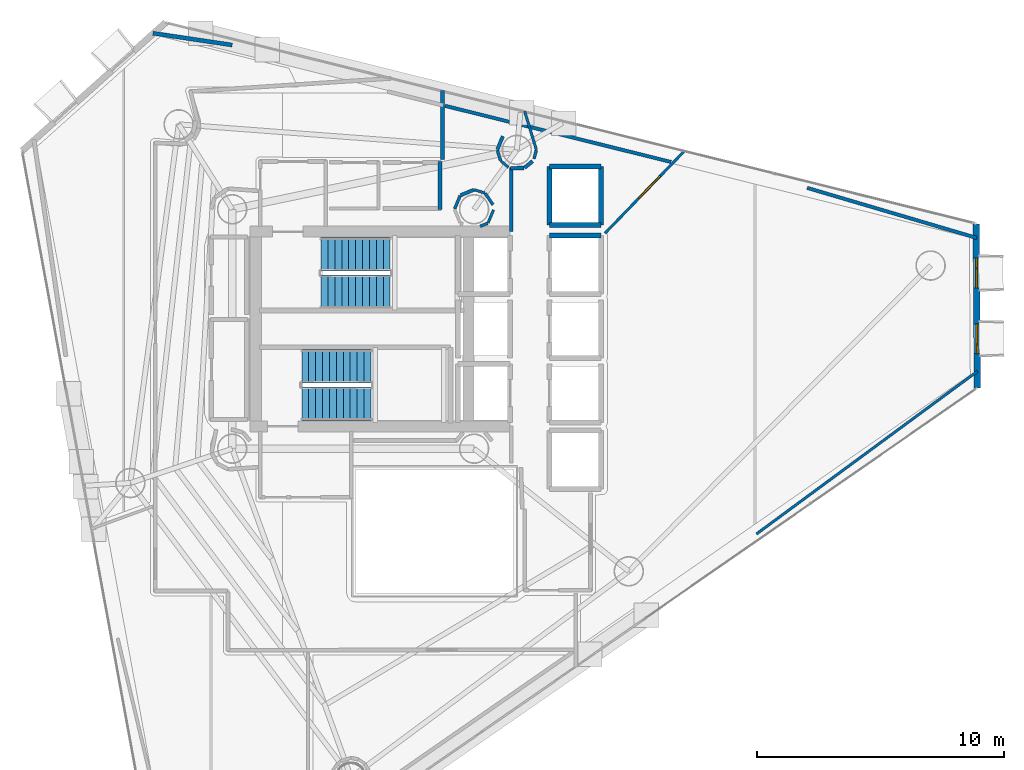
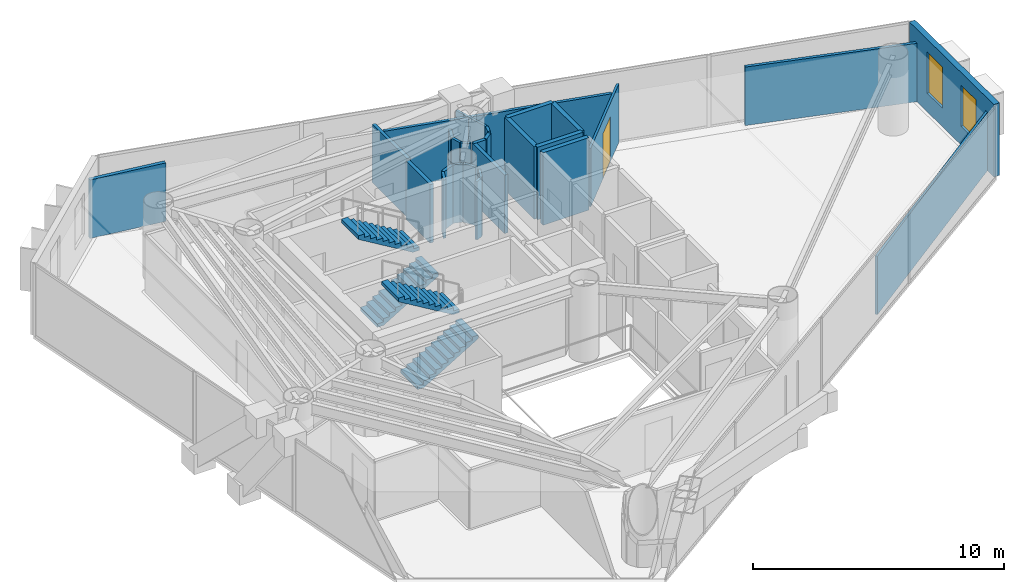
# One storey, part 21 of 23: 27 walls, 4 stair flights, 2 windows, 1 door, 3 openings, 2 elements without a shape of their own.
"""IFC4 building model written with IfcOpenShell, lengths in metres."""

from ifc_helpers import new_model, si_unit, direction, frame, frame_2d, origin, place, context, subcontext, project, spatial, polyline, rectangle, outline, extrude, material, layer, layer_set, type_object, element, fill, aggregate, save


model = new_model("IFC4")

# Units and contexts
model_context = context("Model", 3, precision=1e-05, world=origin(), true_north=direction((0.0, 1.0)))
body_context = subcontext(model_context, "Body", "Model", "MODEL_VIEW")
ifc_project = project(units=[si_unit("LENGTHUNIT", "METRE"), si_unit("AREAUNIT", "SQUARE_METRE"), si_unit("VOLUMEUNIT", "CUBIC_METRE"), si_unit("PLANEANGLEUNIT", "RADIAN"), si_unit("MASSUNIT", "GRAM", prefix="KILO")], contexts=[model_context])

# Site, building, storey
site_placement = place(None, origin())
site = spatial("IfcSite", under=ifc_project, at=site_placement, CompositionType="ELEMENT")
building_placement = place(site_placement, origin())
building = spatial("IfcBuilding", under=site, at=building_placement, Name="Qianvela Tower", CompositionType="ELEMENT")
storey_placement = place(building_placement, frame((0.0, 0.0, 192.89990234375)))
storey = spatial("IfcBuildingStorey", under=building, at=storey_placement, Name="L49", CompositionType="ELEMENT", Elevation=192.89990234375)

# Wall, openings, windows
ifc_material_1 = material(Name="Terracotta Cladding on Concrete C40", Category="masonry")
ifc_layer_1 = layer(ifc_material_1, 0.260009765625)
ifc_layer_set_1 = layer_set([ifc_layer_1], Name="Terracotta Cladding on Concrete C40")
wall_type_1 = type_object("IfcWallType", Name="TERRACOTTA-WALL-260", PredefinedType="SOLIDWALL", material=ifc_layer_set_1)
wall_1_placement = place(storey_placement, frame((58.78759765625, 26.310546875, 0.0), z_axis=(0.0, 0.0, 1.0), x_axis=(-0.006569629932, 0.999978419748, 0.0)))
wall_1 = element("IfcWall", 1, at=wall_1_placement, inside=storey, type_object=wall_type_1, Name="L49 Terracotta Chamfer Facet Wall 1", PredefinedType="SOLIDWALL", context=body_context, shape_type="SweptSolid", body=[
    extrude(rectangle(XDim=6.652099609375, YDim=0.260009765625, at=frame_2d((3.326171875, 0.0))), origin(), (0.0, 0.0, 1.0), 3.52001953125),
])
opening_1_placement = place(wall_1_placement, frame((1.3955078125, 0.0, 0.89990234375)))
opening_1 = element("IfcOpeningElement", 2, at=opening_1_placement, cuts=wall_1, Name="Opening W-03", PredefinedType="OPENING", context=body_context, shape_type="SweptSolid", body=[
    extrude(rectangle(XDim=1.199951171875, YDim=2.0, at=frame_2d((0.60009765625, 1.0))), frame((0.0, 0.139892578125, 0.0), z_axis=(0.0, -1.0, 0.0), x_axis=(1.0, 0.0, 0.0)), (0.0, 0.0, 1.0), 0.280029296875),
])
opening_2_placement = place(wall_1_placement, frame((4.056396484375, 0.0, 0.89990234375)))
opening_2 = element("IfcOpeningElement", 3, at=opening_2_placement, cuts=wall_1, Name="Opening W-03", PredefinedType="OPENING", context=body_context, shape_type="SweptSolid", body=[
    extrude(rectangle(XDim=1.199951171875, YDim=2.0, at=frame_2d((0.60009765625, 1.0))), frame((0.0, 0.139892578125, 0.0), z_axis=(0.0, -1.0, 0.0), x_axis=(1.0, 0.0, 0.0)), (0.0, 0.0, 1.0), 0.280029296875),
])
ifc_material_2 = material(Name="Thermally Broken Aluminium and Low-E Glass", Category="aluminium")
window_type = type_object("IfcWindowType", Name="WIN-TC-1200x2000", PartitioningType="SINGLE_PANEL", PredefinedType="WINDOW", material=ifc_material_2)
window_1_placement = place(opening_1_placement, origin())
window_1 = element("IfcWindow", 4, at=window_1_placement, inside=storey, type_object=window_type, Name="L49 Chamfer Facet Window 1.1", OverallHeight=2.0, OverallWidth=1.199951171875, PartitioningType="SINGLE_PANEL", PredefinedType="WINDOW", context=body_context, shape_type="SweptSolid", body=[
    extrude(rectangle(XDim=1.199951171875, YDim=2.0, at=frame_2d((0.60009765625, 1.0))), frame((0.0, 0.030029296875, 0.0), z_axis=(0.0, -1.0, 0.0), x_axis=(1.0, 0.0, 0.0)), (0.0, 0.0, 1.0), 0.06005859375),
])
fill(opening_1, window_1)
window_2_placement = place(opening_2_placement, origin())
window_2 = element("IfcWindow", 5, at=window_2_placement, inside=storey, type_object=window_type, Name="L49 Chamfer Facet Window 1.2", OverallHeight=2.0, OverallWidth=1.199951171875, PartitioningType="SINGLE_PANEL", PredefinedType="WINDOW", context=body_context, shape_type="SweptSolid", body=[
    extrude(rectangle(XDim=1.199951171875, YDim=2.0, at=frame_2d((0.60009765625, 1.0))), frame((0.0, 0.030029296875, 0.0), z_axis=(0.0, -1.0, 0.0), x_axis=(1.0, 0.0, 0.0)), (0.0, 0.0, 1.0), 0.06005859375),
])
fill(opening_2, window_2)

# Walls
ifc_material_3 = material(Name="Fire-Rated Acoustic Gypsum Board")
ifc_layer_2 = layer(ifc_material_3, 0.14990234375)
ifc_layer_set_2 = layer_set([ifc_layer_2], Name="Fire-Rated Acoustic Gypsum Board")
wall_type_2 = type_object("IfcWallType", Name="WT-CORR-150", PredefinedType="PARTITIONING", material=ifc_layer_set_2)
wall_2_placement = place(storey_placement, frame((39.910888671875, 32.639892578125, 0.0), z_axis=(0.0, 0.0, 1.0), x_axis=(0.0, 1.0, 0.0)))
element("IfcWall", 6, at=wall_2_placement, inside=storey, type_object=wall_type_2, Name="L49 Partition 12", PredefinedType="PARTITIONING", context=body_context, shape_type="SweptSolid", body=[
    extrude(rectangle(XDim=2.60400390625, YDim=0.14990234375, at=frame_2d((1.302001953125, 0.0))), origin(), (0.0, 0.0, 1.0), 2.840087890625),
])
wall_3_placement = place(storey_placement, frame((39.880615234375, 35.212890625, 0.0), z_axis=(0.0, 0.0, 1.0), x_axis=(0.999756500784, 0.02206669754, 0.0)))
element("IfcWall", 7, at=wall_3_placement, inside=storey, type_object=wall_type_2, Name="L49 Partition 13", PredefinedType="PARTITIONING", context=body_context, shape_type="SweptSolid", body=[
    extrude(rectangle(XDim=0.542236328125, YDim=0.14990234375, at=frame_2d((0.27099609375, 0.0))), origin(), (0.0, 0.0, 1.0), 2.840087890625),
])
wall_4_placement = place(storey_placement, frame((40.44140625, 35.231689453125, 0.0), z_axis=(0.0, 0.0, 1.0), x_axis=(0.778714564707, 0.627378376033, 0.0)))
element("IfcWall", 8, at=wall_4_placement, inside=storey, type_object=wall_type_2, Name="L49 Partition 14", PredefinedType="PARTITIONING", context=body_context, shape_type="SweptSolid", body=[
    extrude(rectangle(XDim=0.421142578125, YDim=0.14990234375, at=frame_2d((0.21044921875, 0.0))), origin(), (0.0, 0.0, 1.0), 2.840087890625),
])
wall_5_placement = place(storey_placement, frame((37.118896484375, 38.355224609375, 0.0), z_axis=(0.0, 0.0, 1.0), x_axis=(0.0, -1.0, 0.0)))
element("IfcWall", 9, at=wall_5_placement, inside=storey, type_object=wall_type_2, Name="L49 Partition 57 seg 1", PredefinedType="PARTITIONING", context=body_context, shape_type="SweptSolid", body=[
    extrude(rectangle(XDim=2.795166015625, YDim=0.14990234375, at=frame_2d((1.3974609375, 0.0))), origin(), (0.0, 0.0, 1.0), 2.840087890625),
])

# Wall, opening, door
ifc_material_4 = material(Name="Lightweight Gypsum Room Partition")
ifc_layer_3 = layer(ifc_material_4, 0.10498046875)
ifc_layer_set_3 = layer_set([ifc_layer_3], Name="Lightweight Gypsum Room Partition")
wall_type_3 = type_object("IfcWallType", Name="WT-PART-105", PredefinedType="PARTITIONING", material=ifc_layer_set_3)
wall_6_placement = place(storey_placement, frame((43.7021484375, 32.576416015625, 0.0), z_axis=(0.0, 0.0, 1.0), x_axis=(0.694641433789, 0.719356155506, 0.0)))
wall_6 = element("IfcWall", 10, at=wall_6_placement, inside=storey, type_object=wall_type_3, Name="L49 Partition 105", PredefinedType="PARTITIONING", context=body_context, shape_type="SweptSolid", body=[
    extrude(rectangle(XDim=4.642822265625, YDim=0.10498046875, at=frame_2d((2.3212890625, 0.0))), origin(), (0.0, 0.0, 1.0), 2.840087890625),
])
opening_3_placement = place(wall_6_placement, frame((1.9755859375, 0.0, 0.0)))
opening_3 = element("IfcOpeningElement", 11, at=opening_3_placement, cuts=wall_6, Name="Opening D-LG1", PredefinedType="OPENING", context=body_context, shape_type="SweptSolid", body=[
    extrude(rectangle(XDim=1.25, YDim=2.199951171875, at=frame_2d((0.625, 1.10009765625))), frame((0.0, 0.0625, 0.0), z_axis=(0.0, -1.0, 0.0), x_axis=(1.0, 0.0, 0.0)), (0.0, 0.0, 1.0), 0.125),
])
ifc_material_5 = material(Name="Anodised Aluminium Acoustic Glass Door", Category="aluminium")
door_type = type_object("IfcDoorType", Name="DT-LOUNGE-1250", OperationType="NOTDEFINED", PredefinedType="DOOR", material=ifc_material_5)
door_placement = place(opening_3_placement, origin())
door = element("IfcDoor", 12, at=door_placement, inside=storey, type_object=door_type, Name="L49 Door Social Sitting Lounge L49-04 to Panoramic Study Lounge L49-03", OperationType="SINGLE_SWING_RIGHT", OverallHeight=2.199951171875, OverallWidth=1.25, PredefinedType="DOOR", context=body_context, shape_type="SweptSolid", body=[
    extrude(rectangle(XDim=1.25, YDim=2.199951171875, at=frame_2d((0.625, 1.10009765625))), frame((0.0, 0.02490234375, 0.0), z_axis=(0.0, -1.0, 0.0), x_axis=(1.0, 0.0, 0.0)), (0.0, 0.0, 1.0), 0.050048828125),
])
fill(opening_3, door)

# Walls
wall_7_placement = place(storey_placement, frame((58.799560546875, 26.989501953125, 0.0), z_axis=(0.0, 0.0, 1.0), x_axis=(-0.805363512082, -0.592781252578, 0.0)))
element("IfcWall", 13, at=wall_7_placement, inside=storey, type_object=wall_type_3, Name="L49 Partition 108 seg 1", PredefinedType="PARTITIONING", context=body_context, shape_type="SweptSolid", body=[
    extrude(rectangle(XDim=11.125, YDim=0.10498046875, at=frame_2d((5.5625, 0.0))), origin(), (0.0, 0.0, 1.0), 2.840087890625),
])
wall_8_placement = place(storey_placement, frame((40.920654296875, 35.967041015625, 0.0), z_axis=(0.0, 0.0, 1.0), x_axis=(-0.290302714428, 0.95693486403, 0.0)))
element("IfcWall", 14, at=wall_8_placement, inside=storey, type_object=wall_type_3, Name="L49 Partition 114", PredefinedType="PARTITIONING", context=body_context, shape_type="SweptSolid", body=[
    extrude(rectangle(XDim=1.62890625, YDim=0.10498046875, at=frame_2d((0.814453125, 0.0))), origin(), (0.0, 0.0, 1.0), 2.840087890625),
])
wall_9_placement = place(storey_placement, frame((39.47900390625, 35.51220703125, 0.0), z_axis=(0.0, 0.0, 1.0), x_axis=(0.763588477055, -0.645703211784, 0.0)))
element("IfcWall", 15, at=wall_9_placement, inside=storey, type_object=wall_type_3, Name="L49 Partition 120", PredefinedType="PARTITIONING", context=body_context, shape_type="SweptSolid", body=[
    extrude(rectangle(XDim=0.412109375, YDim=0.10498046875, at=frame_2d((0.2060546875, 0.0))), origin(), (0.0, 0.0, 1.0), 2.840087890625),
])
wall_10_placement = place(storey_placement, frame((38.831298828125, 34.211669921875, 0.0), z_axis=(0.0, 0.0, 1.0), x_axis=(-0.957061618741, 0.289884559665, 0.0)))
element("IfcWall", 16, at=wall_10_placement, inside=storey, type_object=wall_type_3, Name="L49 Partition 123", PredefinedType="PARTITIONING", context=body_context, shape_type="SweptSolid", body=[
    extrude(rectangle(XDim=0.44140625, YDim=0.10498046875, at=frame_2d((0.220703125, 0.0))), origin(), (0.0, 0.0, 1.0), 2.840087890625),
])
wall_11_placement = place(storey_placement, frame((38.966064453125, 33.00048828125, 0.0), z_axis=(0.0, 0.0, 1.0), x_axis=(0.389247517771, 0.921133198788, 0.0)))
element("IfcWall", 17, at=wall_11_placement, inside=storey, type_object=wall_type_3, Name="L49 Partition 129", PredefinedType="PARTITIONING", context=body_context, shape_type="SweptSolid", body=[
    extrude(rectangle(XDim=0.568359375, YDim=0.10498046875, at=frame_2d((0.2841796875, 0.0))), origin(), (0.0, 0.0, 1.0), 2.840087890625),
])
ifc_material_6 = material(Name="Insulated Gypsum Stud Partition")
ifc_layer_4 = layer(ifc_material_6, 0.1201171875)
ifc_layer_set_4 = layer_set([ifc_layer_4], Name="Insulated Gypsum Stud Partition")
wall_type_4 = type_object("IfcWallType", Name="WT-PART-120", PredefinedType="PARTITIONING", material=ifc_layer_set_4)
wall_12_placement = place(storey_placement, frame((40.8271484375, 35.592041015625, 0.0), z_axis=(0.0, 0.0, 1.0), x_axis=(0.253227150491, 0.96740684836, 0.0)))
element("IfcWall", 18, at=wall_12_placement, inside=storey, type_object=wall_type_4, Name="L49 Partition 113", PredefinedType="PARTITIONING", context=body_context, shape_type="SweptSolid", body=[
    extrude(rectangle(XDim=0.3701171875, YDim=0.1201171875, at=frame_2d((0.18505859375, 0.0))), origin(), (0.0, 0.0, 1.0), 2.840087890625),
])
wall_13_placement = place(storey_placement, frame((39.34130859375, 35.948974609375, 0.0), z_axis=(0.0, 0.0, 1.0), x_axis=(0.290544943199, -0.956861346268, 0.0)))
element("IfcWall", 19, at=wall_13_placement, inside=storey, type_object=wall_type_4, Name="L49 Partition 119", PredefinedType="PARTITIONING", context=body_context, shape_type="SweptSolid", body=[
    extrude(rectangle(XDim=0.441162109375, YDim=0.1201171875, at=frame_2d((0.220703125, 0.0))), origin(), (0.0, 0.0, 1.0), 2.840087890625),
])
wall_14_placement = place(storey_placement, frame((39.16552734375, 33.7333984375, 0.0), z_axis=(0.0, 0.0, 1.0), x_axis=(-0.563162199293, 0.826346378517, 0.0)))
element("IfcWall", 20, at=wall_14_placement, inside=storey, type_object=wall_type_4, Name="L49 Partition 122", PredefinedType="PARTITIONING", context=body_context, shape_type="SweptSolid", body=[
    extrude(rectangle(XDim=0.56396484375, YDim=0.1201171875, at=frame_2d((0.281982421875, 0.0))), origin(), (0.0, 0.0, 1.0), 2.840087890625),
])
wall_15_placement = place(storey_placement, frame((37.833984375, 34.099365234375, 0.0), z_axis=(0.0, 0.0, 1.0), x_axis=(-0.382796622927, -0.923832639322, 0.0)))
element("IfcWall", 21, at=wall_15_placement, inside=storey, type_object=wall_type_4, Name="L49 Partition 125", PredefinedType="PARTITIONING", context=body_context, shape_type="SweptSolid", body=[
    extrude(rectangle(XDim=0.58154296875, YDim=0.1201171875, at=frame_2d((0.290771484375, 0.0))), origin(), (0.0, 0.0, 1.0), 2.840087890625),
])
wall_16_placement = place(storey_placement, frame((38.64501953125, 32.85791015625, 0.0), z_axis=(0.0, 0.0, 1.0), x_axis=(0.923908393326, 0.382613748761, 0.0)))
element("IfcWall", 22, at=wall_16_placement, inside=storey, type_object=wall_type_4, Name="L49 Partition 128", PredefinedType="PARTITIONING", context=body_context, shape_type="SweptSolid", body=[
    extrude(rectangle(XDim=0.329345703125, YDim=0.1201171875, at=frame_2d((0.16455078125, 0.0))), origin(), (0.0, 0.0, 1.0), 2.840087890625),
])
ifc_material_7 = material(Name="Sanitary Service Chase Partition")
ifc_layer_5 = layer(ifc_material_7, 0.1650390625)
ifc_layer_set_5 = layer_set([ifc_layer_5], Name="Sanitary Service Chase Partition")
wall_type_5 = type_object("IfcWallType", Name="WT-PLUMB-165", PredefinedType="PLUMBINGWALL", material=ifc_layer_set_5)
wall_17_placement = place(storey_placement, frame((37.01904296875, 35.47998046875, 0.0), z_axis=(0.0, 0.0, 1.0), x_axis=(0.0, -1.0, 0.0)))
element("IfcWall", 23, at=wall_17_placement, inside=storey, type_object=wall_type_5, Name="L49 Partition 27", PredefinedType="PLUMBINGWALL", context=body_context, shape_type="SweptSolid", body=[
    extrude(rectangle(XDim=1.929931640625, YDim=0.1650390625, at=frame_2d((0.96484375, 0.0))), origin(), (0.0, 0.0, 1.0), 2.840087890625),
])
wall_18_placement = place(storey_placement, frame((25.38671875, 40.6826171875, 0.0), z_axis=(0.0, 0.0, 1.0), x_axis=(0.989119304191, -0.147115607862, 0.0)))
element("IfcWall", 24, at=wall_18_placement, inside=storey, type_object=wall_type_5, Name="L49 Partition 136 seg 1", PredefinedType="PLUMBINGWALL", context=body_context, shape_type="SweptSolid", body=[
    extrude(rectangle(XDim=3.24609375, YDim=0.1650390625, at=frame_2d((1.623046875, 0.0))), origin(), (0.0, 0.0, 1.0), 2.840087890625),
])
ifc_material_8 = material(Name="Acoustic Double Gypsum Stud Partition")
ifc_layer_6 = layer(ifc_material_8, 0.139892578125)
ifc_layer_set_6 = layer_set([ifc_layer_6], Name="Acoustic Double Gypsum Stud Partition")
wall_type_6 = type_object("IfcWallType", Name="WT-ROOM-140", PredefinedType="PARTITIONING", material=ifc_layer_set_6)
wall_19_placement = place(storey_placement, frame((51.8916015625, 34.417724609375, 0.0), z_axis=(0.0, 0.0, 1.0), x_axis=(0.959115663903, -0.283014387012, 0.0)))
element("IfcWall", 25, at=wall_19_placement, inside=storey, type_object=wall_type_6, Name="L49 Partition 106 seg 1", PredefinedType="PARTITIONING", context=body_context, shape_type="SweptSolid", body=[
    extrude(rectangle(XDim=7.16845703125, YDim=0.139892578125, at=frame_2d((3.584228515625, 0.0))), origin(), (0.0, 0.0, 1.0), 2.840087890625),
])
wall_20_placement = place(storey_placement, frame((39.56494140625, 36.50732421875, 0.0), z_axis=(0.0, 0.0, 1.0), x_axis=(-0.382796622927, -0.923832639322, 0.0)))
element("IfcWall", 26, at=wall_20_placement, inside=storey, type_object=wall_type_6, Name="L49 Partition 118", PredefinedType="PARTITIONING", context=body_context, shape_type="SweptSolid", body=[
    extrude(rectangle(XDim=0.58154296875, YDim=0.139892578125, at=frame_2d((0.290771484375, 0.0))), origin(), (0.0, 0.0, 1.0), 2.840087890625),
])
wall_21_placement = place(storey_placement, frame((38.38818359375, 34.338623046875, 0.0), z_axis=(0.0, 0.0, 1.0), x_axis=(-0.923894108428, -0.382648241093, 0.0)))
element("IfcWall", 27, at=wall_21_placement, inside=storey, type_object=wall_type_6, Name="L49 Partition 124", PredefinedType="PARTITIONING", context=body_context, shape_type="SweptSolid", body=[
    extrude(rectangle(XDim=0.581787109375, YDim=0.139892578125, at=frame_2d((0.291015625, 0.0))), origin(), (0.0, 0.0, 1.0), 2.840087890625),
])
wall_22_placement = place(storey_placement, frame((37.222412109375, 37.741943359375, 0.0), z_axis=(0.0, 0.0, 1.0), x_axis=(0.97049288978, -0.241129738703, 0.0)))
element("IfcWall", 28, at=wall_22_placement, inside=storey, type_object=wall_type_6, Name="L49 Partition 133 seg 1", PredefinedType="PARTITIONING", context=body_context, shape_type="SweptSolid", body=[
    extrude(rectangle(XDim=9.4404296875, YDim=0.139892578125, at=frame_2d((4.72021484375, 0.0))), origin(), (0.0, 0.0, 1.0), 2.840087890625),
])
ifc_material_9 = material(Name="Concrete C50", Category="concrete")
ifc_layer_7 = layer(ifc_material_9, 0.199951171875)
ifc_layer_set_7 = layer_set([ifc_layer_7], Name="Concrete C50")
wall_type_7 = type_object("IfcWallType", Name="WT-SHAFT-200", PredefinedType="SOLIDWALL", material=ifc_layer_set_7)
wall_23_placement = place(storey_placement, frame((41.449951171875, 32.47998046875, 0.0), z_axis=(0.0, 0.0, 1.0), x_axis=(1.0, 0.0, 0.0)))
element("IfcWall", 29, at=wall_23_placement, inside=storey, type_object=wall_type_7, Name="L49 Lift PL-M1 N Shaft Wall", PredefinedType="SOLIDWALL", context=body_context, shape_type="SweptSolid", body=[
    extrude(rectangle(XDim=2.10009765625, YDim=0.199951171875, at=frame_2d((1.050048828125, 0.0))), origin(), (0.0, 0.0, 1.0), 3.52001953125),
])
for number, where, z_axis, x_axis, name in (
    (30, (43.550048828125, 32.919921875, 0.0), (0.0, 0.0, 1.0), (0.0, 1.0, 0.0), "L49 Lift PL-H3 E Shaft Wall"),
    (31, (41.449951171875, 32.919921875, 0.0), (0.0, 0.0, 1.0), (0.0, 1.0, 0.0), "L49 Lift PL-H3 W Shaft Wall"),
):
    element("IfcWall", number, at=place(storey_placement, frame(where, z_axis=z_axis, x_axis=x_axis)), inside=storey, type_object=wall_type_7, Name=name, PredefinedType="SOLIDWALL", context=body_context, shape_type="SweptSolid", body=[
        extrude(rectangle(XDim=2.360107421875, YDim=0.199951171875, at=frame_2d((1.18017578125, 0.0))), origin(), (0.0, 0.0, 1.0), 3.52001953125),
    ])
for number, where, z_axis, x_axis, name in (
    (32, (41.449951171875, 35.280029296875, 0.0), (0.0, 0.0, 1.0), (1.0, 0.0, 0.0), "L49 Lift PL-H3 N Shaft Wall"),
    (33, (41.449951171875, 32.919921875, 0.0), (0.0, 0.0, 1.0), (1.0, 0.0, 0.0), "L49 Lift PL-H3 S Shaft Wall"),
):
    element("IfcWall", number, at=place(storey_placement, frame(where, z_axis=z_axis, x_axis=x_axis)), inside=storey, type_object=wall_type_7, Name=name, PredefinedType="SOLIDWALL", context=body_context, shape_type="SweptSolid", body=[
        extrude(rectangle(XDim=2.10009765625, YDim=0.199951171875, at=frame_2d((1.050048828125, 0.0))), origin(), (0.0, 0.0, 1.0), 3.52001953125),
    ])

# Stair, stair flights
ifc_material_10 = material(Name="Concrete C40", Category="concrete")
stair_type = type_object("IfcStairType", Name="ST-DOGLEG-1350-R168-N22", PredefinedType="HALF_TURN_STAIR", material=ifc_material_10)
stair_1_placement = place(storey_placement, origin())
stair_1 = element("IfcStair", 34, at=stair_1_placement, inside=storey, type_object=stair_type, Name="L49 Smoke-Proof Core Stair ST-1", PredefinedType="HALF_TURN_STAIR")
ifc_material_11 = material(Name="Concrete C40", Category="concrete")
stair_flight_type = type_object("IfcStairFlightType", Name="STF-STRAIGHT-R168-P11", PredefinedType="STRAIGHT", material=ifc_material_11)
stair_flight_1_placement = place(storey_placement, frame((32.199951171875, 30.215087890625, 0.0), z_axis=(0.0, 0.0, 1.0), x_axis=(1.0, 0.0, 0.0)))
stair_flight_1 = element("IfcStairFlight", 35, at=stair_flight_1_placement, type_object=stair_flight_type, Name="ST-1 flight 1", NumberOfRisers=11, NumberOfTreads=10, PredefinedType="STRAIGHT", RiserHeight=0.168181818, TreadLength=0.28, context=body_context, shape_type="SweptSolid", body=[
    extrude(outline(polyline([(0.0, 0.0), (0.0, 0.168212890625), (0.280029296875, 0.168212890625), (0.280029296875, 0.33642578125), (0.56005859375, 0.33642578125), (0.56005859375, 0.504638671875), (0.840087890625, 0.504638671875), (0.840087890625, 0.672607421875), (1.1201171875, 0.672607421875), (1.1201171875, 0.8408203125), (1.39990234375, 0.8408203125), (1.39990234375, 1.009033203125), (1.679931640625, 1.009033203125), (1.679931640625, 1.17724609375), (1.9599609375, 1.17724609375), (1.9599609375, 1.345458984375), (2.239990234375, 1.345458984375), (2.239990234375, 1.513671875), (2.52001953125, 1.513671875), (2.52001953125, 1.681884765625), (2.800048828125, 1.681884765625), (2.800048828125, 1.85009765625), (2.800048828125, 1.5068359375), (0.291015625, 0.0), (0.0, 0.0)])), frame((0.0, 0.675048828125, 0.0), z_axis=(0.0, -1.0, 0.0), x_axis=(1.0, 0.0, 0.0)), (0.0, 0.0, 1.0), 1.35009765625),
])
stair_flight_2_placement = place(storey_placement, frame((35.0, 31.72509765625, 1.85009765625), z_axis=(0.0, 0.0, 1.0), x_axis=(-1.0, 0.0, 0.0)))
stair_flight_2 = element("IfcStairFlight", 36, at=stair_flight_2_placement, type_object=stair_flight_type, Name="ST-1 flight 2", NumberOfRisers=11, NumberOfTreads=10, PredefinedType="STRAIGHT", RiserHeight=0.168181818, TreadLength=0.28, context=body_context, shape_type="SweptSolid", body=[
    extrude(outline(polyline([(0.0, 0.0), (0.0, 0.168212890625), (0.280029296875, 0.168212890625), (0.280029296875, 0.33642578125), (0.56005859375, 0.33642578125), (0.56005859375, 0.504638671875), (0.840087890625, 0.504638671875), (0.840087890625, 0.672607421875), (1.1201171875, 0.672607421875), (1.1201171875, 0.8408203125), (1.39990234375, 0.8408203125), (1.39990234375, 1.009033203125), (1.679931640625, 1.009033203125), (1.679931640625, 1.17724609375), (1.9599609375, 1.17724609375), (1.9599609375, 1.345458984375), (2.239990234375, 1.345458984375), (2.239990234375, 1.513671875), (2.52001953125, 1.513671875), (2.52001953125, 1.681884765625), (2.800048828125, 1.681884765625), (2.800048828125, 1.85009765625), (2.800048828125, 1.5068359375), (0.291015625, 0.0), (0.0, 0.0)])), frame((0.0, 0.675048828125, 0.0), z_axis=(0.0, -1.0, 0.0), x_axis=(1.0, 0.0, 0.0)), (0.0, 0.0, 1.0), 1.35009765625),
])
aggregate(stair_1, [stair_flight_1, stair_flight_2])

stair_2_placement = place(storey_placement, origin())
stair_2 = element("IfcStair", 37, at=stair_2_placement, inside=storey, type_object=stair_type, Name="L49 Smoke-Proof Core Stair ST-2", PredefinedType="HALF_TURN_STAIR")
stair_flight_3_placement = place(storey_placement, frame((31.419921875, 25.675048828125, 0.0), z_axis=(0.0, 0.0, 1.0), x_axis=(1.0, 0.0, 0.0)))
stair_flight_3 = element("IfcStairFlight", 38, at=stair_flight_3_placement, type_object=stair_flight_type, Name="ST-2 flight 1", NumberOfRisers=11, NumberOfTreads=10, PredefinedType="STRAIGHT", RiserHeight=0.168181818, TreadLength=0.28, context=body_context, shape_type="SweptSolid", body=[
    extrude(outline(polyline([(0.0, 0.0), (0.0, 0.168212890625), (0.280029296875, 0.168212890625), (0.280029296875, 0.33642578125), (0.56005859375, 0.33642578125), (0.56005859375, 0.504638671875), (0.840087890625, 0.504638671875), (0.840087890625, 0.672607421875), (1.1201171875, 0.672607421875), (1.1201171875, 0.8408203125), (1.39990234375, 0.8408203125), (1.39990234375, 1.009033203125), (1.679931640625, 1.009033203125), (1.679931640625, 1.17724609375), (1.9599609375, 1.17724609375), (1.9599609375, 1.345458984375), (2.239990234375, 1.345458984375), (2.239990234375, 1.513671875), (2.52001953125, 1.513671875), (2.52001953125, 1.681884765625), (2.800048828125, 1.681884765625), (2.800048828125, 1.85009765625), (2.800048828125, 1.5068359375), (0.291015625, 0.0), (0.0, 0.0)])), frame((0.0, 0.675048828125, 0.0), z_axis=(0.0, -1.0, 0.0), x_axis=(1.0, 0.0, 0.0)), (0.0, 0.0, 1.0), 1.35009765625),
])
stair_flight_4_placement = place(storey_placement, frame((34.219970703125, 27.18505859375, 1.85009765625), z_axis=(0.0, 0.0, 1.0), x_axis=(-1.0, 0.0, 0.0)))
stair_flight_4 = element("IfcStairFlight", 39, at=stair_flight_4_placement, type_object=stair_flight_type, Name="ST-2 flight 2", NumberOfRisers=11, NumberOfTreads=10, PredefinedType="STRAIGHT", RiserHeight=0.168181818, TreadLength=0.28, context=body_context, shape_type="SweptSolid", body=[
    extrude(outline(polyline([(0.0, 0.0), (0.0, 0.168212890625), (0.280029296875, 0.168212890625), (0.280029296875, 0.33642578125), (0.56005859375, 0.33642578125), (0.56005859375, 0.504638671875), (0.840087890625, 0.504638671875), (0.840087890625, 0.672607421875), (1.1201171875, 0.672607421875), (1.1201171875, 0.8408203125), (1.39990234375, 0.8408203125), (1.39990234375, 1.009033203125), (1.679931640625, 1.009033203125), (1.679931640625, 1.17724609375), (1.9599609375, 1.17724609375), (1.9599609375, 1.345458984375), (2.239990234375, 1.345458984375), (2.239990234375, 1.513671875), (2.52001953125, 1.513671875), (2.52001953125, 1.681884765625), (2.800048828125, 1.681884765625), (2.800048828125, 1.85009765625), (2.800048828125, 1.5068359375), (0.291015625, 0.0), (0.0, 0.0)])), frame((0.0, 0.675048828125, 0.0), z_axis=(0.0, -1.0, 0.0), x_axis=(1.0, 0.0, 0.0)), (0.0, 0.0, 1.0), 1.35009765625),
])
aggregate(stair_2, [stair_flight_3, stair_flight_4])

save(model, "model.ifc")
